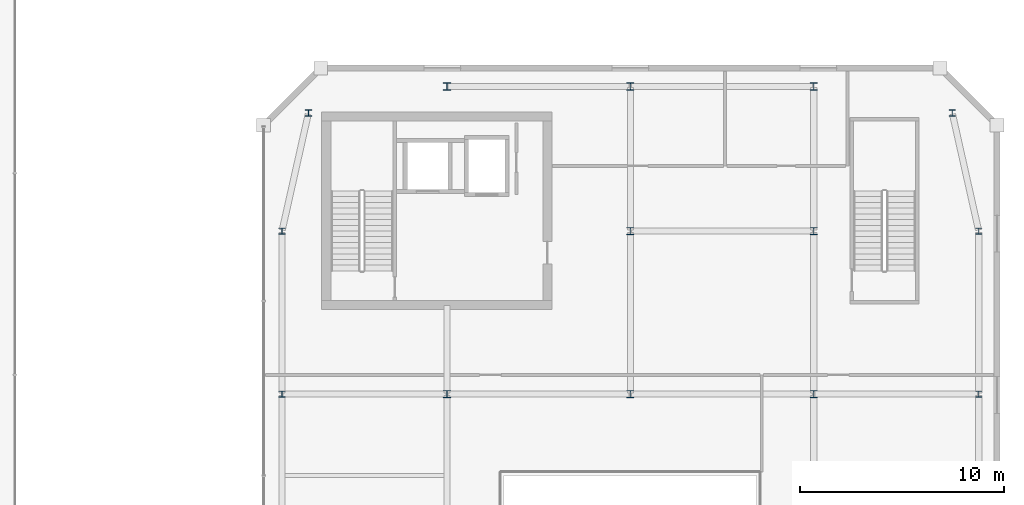
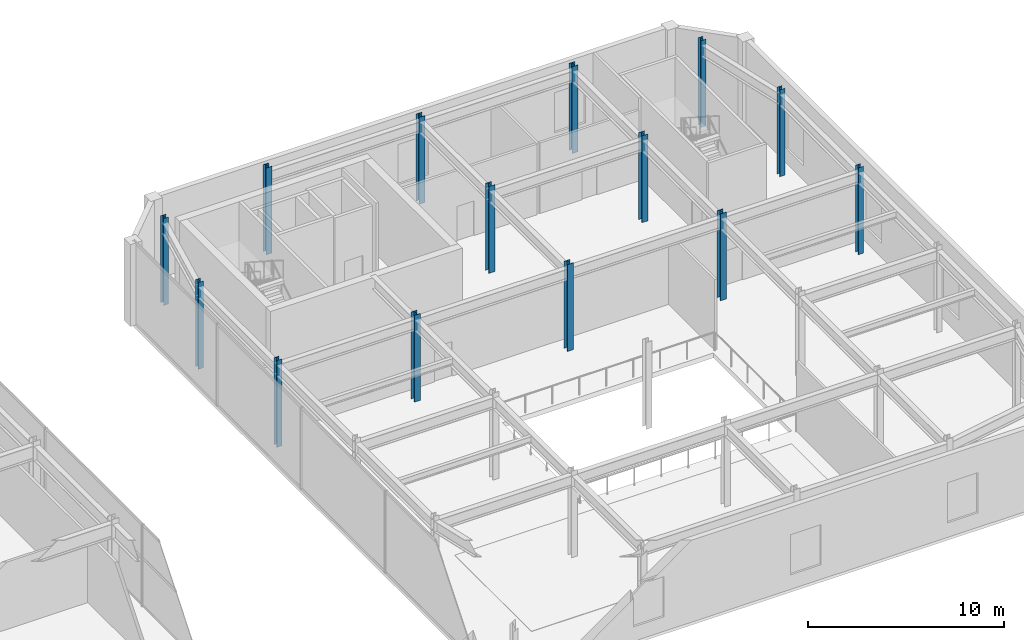
# One storey, part 7 of 52: 14 columns.
"""IFC4 building model written with IfcOpenShell, lengths in metres."""

from ifc_helpers import new_model, si_unit, direction, frame, origin, origin_2d, place, context, subcontext, project, spatial, i_section, extrude, material, material_profile, profile_set, type_object, element, save


model = new_model("IFC4")

# Units and contexts
model_context = context("Model", 3, precision=1e-05, world=origin(), true_north=direction((0.0, 1.0)))
body_context = subcontext(model_context, "Body", "Model", "MODEL_VIEW")
ifc_project = project(units=[si_unit("LENGTHUNIT", "METRE"), si_unit("AREAUNIT", "SQUARE_METRE"), si_unit("VOLUMEUNIT", "CUBIC_METRE"), si_unit("PLANEANGLEUNIT", "RADIAN"), si_unit("MASSUNIT", "GRAM", prefix="KILO")], contexts=[model_context])

# Site, building, storey
site_placement = place(None, origin())
site = spatial("IfcSite", under=ifc_project, at=site_placement, CompositionType="ELEMENT")
building_placement = place(site_placement, origin())
building = spatial("IfcBuilding", under=site, at=building_placement, Name="Saevonmaru Cultural Tower", CompositionType="ELEMENT")
storey_placement = place(building_placement, frame((0.0, 0.0, 16.800048828125)))
storey = spatial("IfcBuildingStorey", under=building, at=storey_placement, Name="L03", CompositionType="ELEMENT", Elevation=16.800048828125)

# Columns
ifc_material = material(Name="Steel SM355", Category="steel")
ifc_material_profile_1 = material_profile(ifc_material, i_section(OverallWidth=0.300048828125, OverallDepth=0.300048828125, WebThickness=0.010009765625, FlangeThickness=0.014892578125, FilletRadius=0.01806640625, at=origin_2d()), Name="H-300x300x10x15")
ifc_profile_set_1 = profile_set([ifc_material_profile_1], Name="Steel SM355")
column_type_1 = type_object("IfcColumnType", Name="COL-H-300", PredefinedType="COLUMN", material=ifc_profile_set_1)
for number, where, z_axis, x_axis, name in (
    (1, (73.10009765625, 32.0, 0.0), (0.0, 0.0, 1.0), (1.0, 0.0, 0.0), "L03 Column LC-9-E"),
    (2, (73.10009765625, 40.0, 0.0), (0.0, 0.0, 1.0), (1.0, 0.0, 0.0), "L03 Column LC-9-F"),
    (3, (74.39990234375, 45.800048828125, 0.0), (0.0, 0.0, 1.0), (1.0, 0.0, 0.0), "L03 Column LC-9-G"),
    (4, (107.300048828125, 32.0, 0.0), (0.0, 0.0, 1.0), (1.0, 0.0, 0.0), "L03 Column LC-13-E"),
    (5, (107.300048828125, 40.0, 0.0), (0.0, 0.0, 1.0), (1.0, 0.0, 0.0), "L03 Column LC-13-F"),
    (6, (106.0, 45.800048828125, 0.0), (0.0, 0.0, 1.0), (1.0, 0.0, 0.0), "L03 Column LC-13-G"),
):
    element("IfcColumn", number, at=place(storey_placement, frame(where, z_axis=z_axis, x_axis=x_axis)), inside=storey, type_object=column_type_1, Name=name, PredefinedType="COLUMN", context=body_context, shape_type="SweptSolid", body=[
        extrude(i_section(OverallWidth=0.300048828125, OverallDepth=0.300048828125, WebThickness=0.010009765625, FlangeThickness=0.014892578125, FilletRadius=0.01806640625, at=origin_2d()), origin(), (0.0, 0.0, 1.0), 5.39990234375),
    ])
ifc_material_profile_2 = material_profile(ifc_material, i_section(OverallWidth=0.35009765625, OverallDepth=0.35009765625, WebThickness=0.011962890625, FlangeThickness=0.01904296875, FilletRadius=0.02001953125, at=origin_2d()), Name="H-350x350x12x19")
ifc_profile_set_2 = profile_set([ifc_material_profile_2], Name="Steel SM355")
column_type_2 = type_object("IfcColumnType", Name="COL-H-350", PredefinedType="COLUMN", material=ifc_profile_set_2)
for number, where, z_axis, x_axis, name in (
    (7, (81.199951171875, 32.0, 0.0), (0.0, 0.0, 1.0), (1.0, 0.0, 0.0), "L03 Column LC-10-E"),
    (8, (81.199951171875, 47.10009765625, 0.0), (0.0, 0.0, 1.0), (1.0, 0.0, 0.0), "L03 Column LC-10-G"),
    (9, (90.199951171875, 32.0, 0.0), (0.0, 0.0, 1.0), (1.0, 0.0, 0.0), "L03 Column LC-11-E"),
    (10, (90.199951171875, 40.0, 0.0), (0.0, 0.0, 1.0), (1.0, 0.0, 0.0), "L03 Column LC-11-F"),
    (11, (90.199951171875, 47.10009765625, 0.0), (0.0, 0.0, 1.0), (1.0, 0.0, 0.0), "L03 Column LC-11-G"),
    (12, (99.199951171875, 32.0, 0.0), (0.0, 0.0, 1.0), (1.0, 0.0, 0.0), "L03 Column LC-12-E"),
    (13, (99.199951171875, 40.0, 0.0), (0.0, 0.0, 1.0), (1.0, 0.0, 0.0), "L03 Column LC-12-F"),
    (14, (99.199951171875, 47.10009765625, 0.0), (0.0, 0.0, 1.0), (1.0, 0.0, 0.0), "L03 Column LC-12-G"),
):
    element("IfcColumn", number, at=place(storey_placement, frame(where, z_axis=z_axis, x_axis=x_axis)), inside=storey, type_object=column_type_2, Name=name, PredefinedType="COLUMN", context=body_context, shape_type="SweptSolid", body=[
        extrude(i_section(OverallWidth=0.35009765625, OverallDepth=0.35009765625, WebThickness=0.011962890625, FlangeThickness=0.01904296875, FilletRadius=0.02001953125, at=origin_2d()), origin(), (0.0, 0.0, 1.0), 5.39990234375),
    ])

save(model, "model.ifc")
